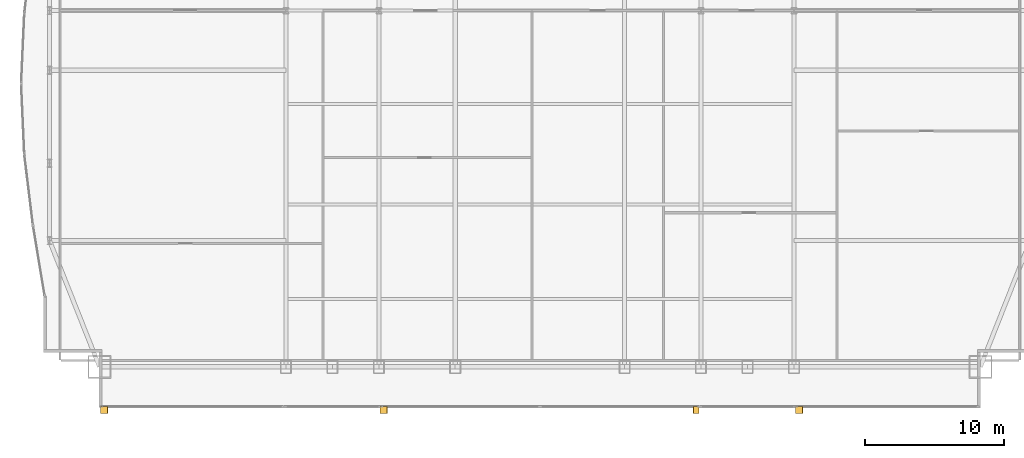
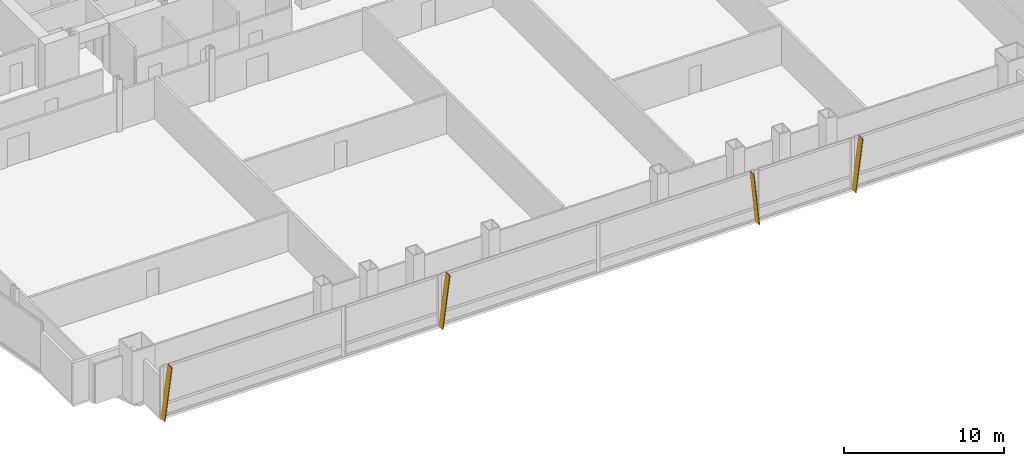
# One storey, part 31 of 32: 4 shading devices.
"""IFC4 building model written with IfcOpenShell, lengths in metres."""

from ifc_helpers import new_model, si_unit, direction, frame, origin, place, context, subcontext, project, spatial, polyline, outline, extrude, material, layer, layer_set, type_object, element, save


model = new_model("IFC4")

# Units and contexts
model_context = context("Model", 3, precision=1e-05, world=origin(), true_north=direction((0.0, 1.0)))
body_context = subcontext(model_context, "Body", "Model", "MODEL_VIEW")
ifc_project = project(units=[si_unit("LENGTHUNIT", "METRE"), si_unit("AREAUNIT", "SQUARE_METRE"), si_unit("VOLUMEUNIT", "CUBIC_METRE"), si_unit("PLANEANGLEUNIT", "RADIAN"), si_unit("MASSUNIT", "GRAM", prefix="KILO")], contexts=[model_context])

# Site, building, storey
site_placement = place(None, origin())
site = spatial("IfcSite", under=ifc_project, at=site_placement, CompositionType="ELEMENT")
building_placement = place(site_placement, origin())
building = spatial("IfcBuilding", under=site, at=building_placement, Name="Khoronbel Lancet Exchange", CompositionType="ELEMENT")
storey_placement = place(building_placement, frame((0.0, 0.0, 41.800048828125)))
storey = spatial("IfcBuildingStorey", under=building, at=storey_placement, Name="L09", CompositionType="ELEMENT", Elevation=41.800048828125)

# Shading devices
ifc_material = material(Name="Bronze-Anodised Aluminium 6063-T6", Category="aluminium")
ifc_layer = layer(ifc_material, 0.054931640625, Name="Bronze-Anodised Aluminium 6063-T6")
ifc_layer_set = layer_set([ifc_layer], Name="Bronze-Anodised Aluminium 6063-T6")
shading_device_type = type_object("IfcShadingDeviceType", Name="SHD-FIN1", PredefinedType="USERDEFINED", material=ifc_layer_set)
for number, where, z_axis, x_axis, name in (
    (1, (4.91259765625, 7.31005859375, -0.080078125), (-0.991889216598, 0.0, 0.127105397195), (0.0, -1.0, 0.0), "Slanted bronze solar fin CW-L09-SWV-0"),
    (2, (24.972412109375, 7.31005859375, -0.080078125), (-0.991881465906, 0.0, 0.127165866462), (0.0, -1.0, 0.0), "Slanted bronze solar fin CW-L09-SCV-0"),
):
    element("IfcShadingDevice", number, at=place(storey_placement, frame(where, z_axis=z_axis, x_axis=x_axis)), inside=storey, type_object=shading_device_type, Name=name, ObjectType="FIN", PredefinedType="USERDEFINED", context=body_context, shape_type="SweptSolid", body=[
        extrude(outline(polyline([(0.0, 0.0), (0.52001953125, 0.0), (0.52001953125, 3.97216796875), (0.0, 3.97216796875), (0.0, 0.0)])), origin(), (0.0, 0.0, -1.0), 0.054931640625),
    ])
shading_device_1_placement = place(storey_placement, frame((47.87255859375, 7.31005859375, -0.080078125), z_axis=(0.995011517869, 0.0, 0.099760108806), x_axis=(0.0, -1.0, 0.0)))
element("IfcShadingDevice", 3, at=shading_device_1_placement, inside=storey, type_object=shading_device_type, Name="Slanted bronze solar fin CW-L09-SCV-2", ObjectType="FIN", PredefinedType="USERDEFINED", context=body_context, shape_type="SweptSolid", body=[
    extrude(outline(polyline([(0.0, 0.0), (0.52001953125, 0.0), (0.52001953125, -3.959716796875), (0.0, -3.959716796875), (0.0, 0.0)])), origin(), (0.0, 0.0, -1.0), 0.054931640625),
])
shading_device_2_placement = place(storey_placement, frame((54.7724609375, 7.31005859375, -0.080078125), z_axis=(-0.991881465906, 0.0, 0.127165866462), x_axis=(0.0, -1.0, 0.0)))
element("IfcShadingDevice", 4, at=shading_device_2_placement, inside=storey, type_object=shading_device_type, Name="Slanted bronze solar fin CW-L09-SEV-0", ObjectType="FIN", PredefinedType="USERDEFINED", context=body_context, shape_type="SweptSolid", body=[
    extrude(outline(polyline([(0.0, 0.0), (0.52001953125, 0.0), (0.52001953125, 3.97216796875), (0.0, 3.97216796875), (0.0, 0.0)])), origin(), (0.0, 0.0, -1.0), 0.054931640625),
])

save(model, "model.ifc")
